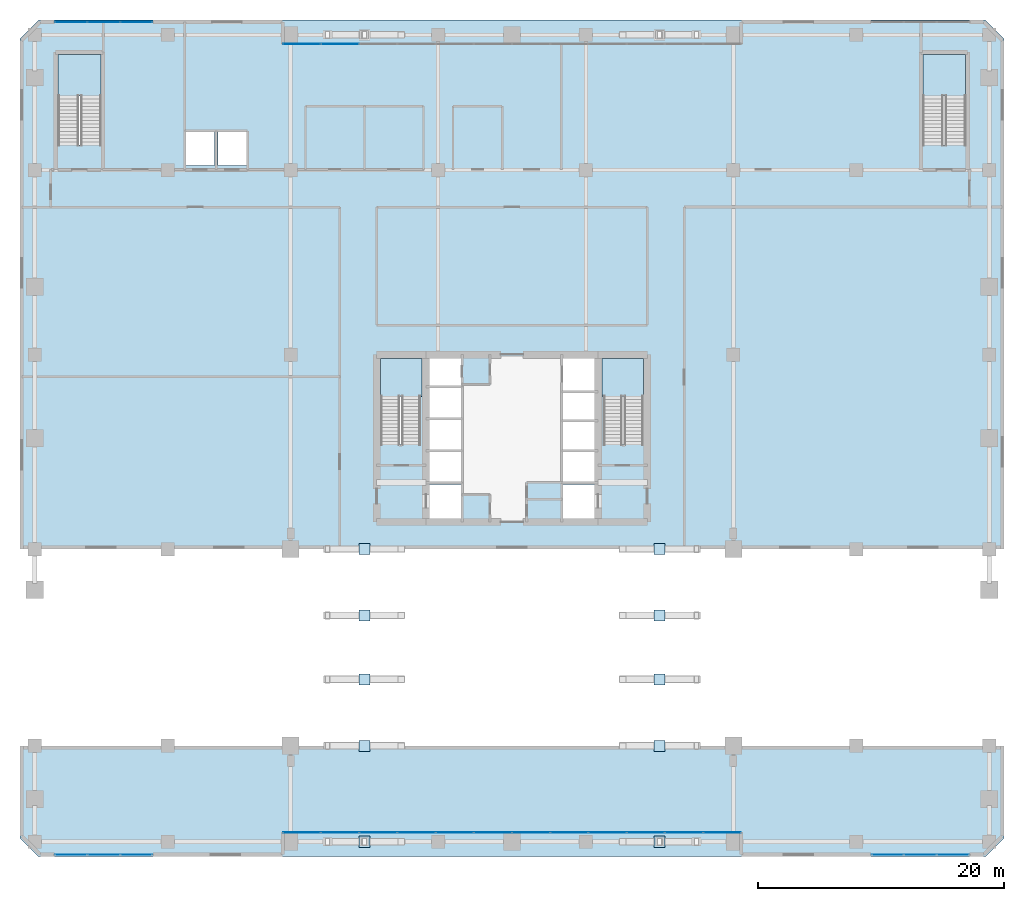
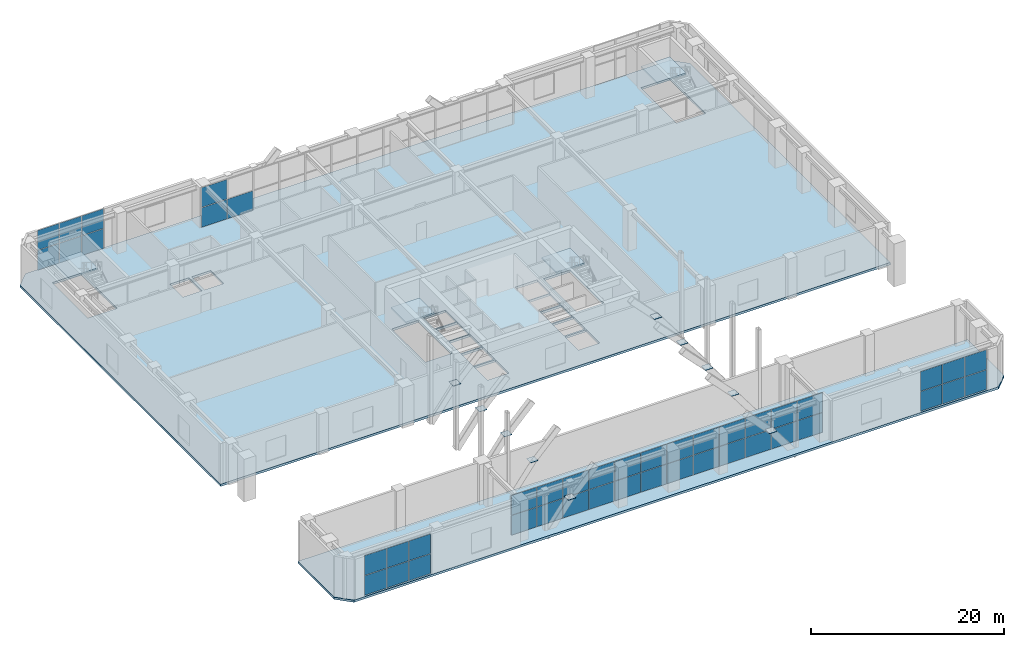
# One storey, part 19 of 28: 55 plates, 6 slabs, 9 elements without a shape of their own.
"""IFC4 building model written with IfcOpenShell, lengths in metres."""

from ifc_helpers import new_model, si_unit, direction, frame, origin, origin_2d, place, context, subcontext, project, spatial, polyline, rectangle, outline, extrude, material, layer, layer_set, type_object, element, aggregate, save


model = new_model("IFC4")

# Units and contexts
model_context = context("Model", 3, precision=1e-05, world=origin(), true_north=direction((0.0, 1.0)))
body_context = subcontext(model_context, "Body", "Model", "MODEL_VIEW")
ifc_project = project(units=[si_unit("LENGTHUNIT", "METRE"), si_unit("AREAUNIT", "SQUARE_METRE"), si_unit("VOLUMEUNIT", "CUBIC_METRE"), si_unit("PLANEANGLEUNIT", "RADIAN"), si_unit("MASSUNIT", "GRAM", prefix="KILO")], contexts=[model_context])

# Site, building, storey
site_placement = place(None, origin())
site = spatial("IfcSite", under=ifc_project, at=site_placement, CompositionType="ELEMENT")
building_placement = place(site_placement, origin())
building = spatial("IfcBuilding", under=site, at=building_placement, Name="Sarneth Arch Tower", CompositionType="ELEMENT")
storey_placement = place(building_placement, frame((0.0, 0.0, 6.0)))
storey = spatial("IfcBuildingStorey", under=building, at=storey_placement, Name="L01", CompositionType="ELEMENT", Elevation=6.0)

# Curtain wall, plates
ifc_material_1 = material(Name="Anodised aluminium Type AA25 and solar-control low-e laminated IGU", Category="aluminium")
ifc_layer_1 = layer(ifc_material_1, 0.199951171875)
ifc_layer_set_1 = layer_set([ifc_layer_1], Name="Anodised aluminium Type AA25 and solar-control low-e laminated IGU")
curtain_wall_type_1 = type_object("IfcCurtainWallType", Name="CW-ARCH-GLAZE", PredefinedType="NOTDEFINED", material=ifc_layer_set_1)
curtain_wall_1_placement = place(storey_placement, origin())
curtain_wall_1 = element("IfcCurtainWall", 1, at=curtain_wall_1_placement, inside=storey, type_object=curtain_wall_type_1, Name="L01 North parabolic arch portal curtain wall", PredefinedType="NOTDEFINED")
ifc_material_2 = material(Name="Solar-control low-e laminated IGU", Category="glass")
ifc_layer_2 = layer(ifc_material_2, 0.028076171875)
ifc_layer_set_2 = layer_set([ifc_layer_2], Name="Solar-control low-e laminated IGU")
plate_type_1 = type_object("IfcPlateType", Name="CW-PANEL", PredefinedType="CURTAIN_PANEL", material=ifc_layer_set_2)
plate_1_placement = place(storey_placement, frame((34.012451171875, 74.050048828125, 0.06005859375), z_axis=(0.0, 0.0, 1.0), x_axis=(-1.0, 0.0, 0.0)))
plate_1 = element("IfcPlate", 2, at=plate_1_placement, type_object=plate_type_1, Name="Curtain wall glazed vision pane CW-L01-N-ARCH/P10-00", PredefinedType="CURTAIN_PANEL", context=body_context, shape_type="SweptSolid", body=[
    extrude(rectangle(XDim=3.04833984375, YDim=0.028076171875, at=origin_2d()), origin(), (0.0, 0.0, 1.0), 2.469970703125),
])
plate_2_placement = place(storey_placement, frame((30.919189453125, 74.050048828125, 0.06005859375), z_axis=(0.0, 0.0, 1.0), x_axis=(-1.0, 0.0, 0.0)))
plate_2 = element("IfcPlate", 3, at=plate_2_placement, type_object=plate_type_1, Name="Curtain wall glazed vision pane CW-L01-N-ARCH/P11-00", PredefinedType="CURTAIN_PANEL", context=body_context, shape_type="SweptSolid", body=[
    extrude(rectangle(XDim=3.018310546875, YDim=0.028076171875, at=origin_2d()), origin(), (0.0, 0.0, 1.0), 2.469970703125),
])
plate_3_placement = place(storey_placement, frame((30.919189453125, 74.050048828125, 2.58984375), z_axis=(0.0, 0.0, 1.0), x_axis=(-1.0, 0.0, 0.0)))
plate_3 = element("IfcPlate", 4, at=plate_3_placement, type_object=plate_type_1, Name="Curtain wall glazed vision pane CW-L01-N-ARCH/P11-01", PredefinedType="CURTAIN_PANEL", context=body_context, shape_type="SweptSolid", body=[
    extrude(rectangle(XDim=3.018310546875, YDim=0.028076171875, at=origin_2d()), origin(), (0.0, 0.0, 1.0), 2.469970703125),
])
aggregate(curtain_wall_1, [plate_1, plate_2, plate_3])

curtain_wall_2_placement = place(storey_placement, origin())
curtain_wall_2 = element("IfcCurtainWall", 5, at=curtain_wall_2_placement, inside=storey, type_object=curtain_wall_type_1, Name="L01 South parabolic arch portal curtain wall", PredefinedType="NOTDEFINED")
plate_4_placement = place(storey_placement, frame((30.919189453125, 9.949951171875, 0.06005859375), z_axis=(0.0, 0.0, 1.0), x_axis=(1.0, 0.0, 0.0)))
plate_4 = element("IfcPlate", 6, at=plate_4_placement, type_object=plate_type_1, Name="Curtain wall glazed vision pane CW-L01-S-ARCH/P00-00", PredefinedType="CURTAIN_PANEL", context=body_context, shape_type="SweptSolid", body=[
    extrude(rectangle(XDim=3.018310546875, YDim=0.028076171875, at=origin_2d()), origin(), (0.0, 0.0, 1.0), 2.469970703125),
])
plate_5_placement = place(storey_placement, frame((30.919189453125, 9.949951171875, 2.58984375), z_axis=(0.0, 0.0, 1.0), x_axis=(1.0, 0.0, 0.0)))
plate_5 = element("IfcPlate", 7, at=plate_5_placement, type_object=plate_type_1, Name="Curtain wall glazed vision pane CW-L01-S-ARCH/P00-01", PredefinedType="CURTAIN_PANEL", context=body_context, shape_type="SweptSolid", body=[
    extrude(rectangle(XDim=3.018310546875, YDim=0.028076171875, at=origin_2d()), origin(), (0.0, 0.0, 1.0), 2.469970703125),
])
plate_6_placement = place(storey_placement, frame((34.012451171875, 9.949951171875, 0.06005859375), z_axis=(0.0, 0.0, 1.0), x_axis=(1.0, 0.0, 0.0)))
plate_6 = element("IfcPlate", 8, at=plate_6_placement, type_object=plate_type_1, Name="Curtain wall glazed vision pane CW-L01-S-ARCH/P01-00", PredefinedType="CURTAIN_PANEL", context=body_context, shape_type="SweptSolid", body=[
    extrude(rectangle(XDim=3.04833984375, YDim=0.028076171875, at=origin_2d()), origin(), (0.0, 0.0, 1.0), 2.469970703125),
])
plate_7_placement = place(storey_placement, frame((34.012451171875, 9.949951171875, 2.58984375), z_axis=(0.0, 0.0, 1.0), x_axis=(1.0, 0.0, 0.0)))
plate_7 = element("IfcPlate", 9, at=plate_7_placement, type_object=plate_type_1, Name="Curtain wall glazed vision pane CW-L01-S-ARCH/P01-01", PredefinedType="CURTAIN_PANEL", context=body_context, shape_type="SweptSolid", body=[
    extrude(rectangle(XDim=3.04833984375, YDim=0.028076171875, at=origin_2d()), origin(), (0.0, 0.0, 1.0), 2.469970703125),
])
plate_8_placement = place(storey_placement, frame((37.120849609375, 9.949951171875, 0.06005859375), z_axis=(0.0, 0.0, 1.0), x_axis=(1.0, 0.0, 0.0)))
plate_8 = element("IfcPlate", 10, at=plate_8_placement, type_object=plate_type_1, Name="Curtain wall glazed vision pane CW-L01-S-ARCH/P02-00", PredefinedType="CURTAIN_PANEL", context=body_context, shape_type="SweptSolid", body=[
    extrude(rectangle(XDim=3.04833984375, YDim=0.028076171875, at=origin_2d()), origin(), (0.0, 0.0, 1.0), 2.469970703125),
])
plate_9_placement = place(storey_placement, frame((37.120849609375, 9.949951171875, 2.58984375), z_axis=(0.0, 0.0, 1.0), x_axis=(1.0, 0.0, 0.0)))
plate_9 = element("IfcPlate", 11, at=plate_9_placement, type_object=plate_type_1, Name="Curtain wall glazed vision pane CW-L01-S-ARCH/P02-01", PredefinedType="CURTAIN_PANEL", context=body_context, shape_type="SweptSolid", body=[
    extrude(rectangle(XDim=3.04833984375, YDim=0.028076171875, at=origin_2d()), origin(), (0.0, 0.0, 1.0), 2.469970703125),
])
plate_10_placement = place(storey_placement, frame((40.229248046875, 9.949951171875, 0.06005859375), z_axis=(0.0, 0.0, 1.0), x_axis=(1.0, 0.0, 0.0)))
plate_10 = element("IfcPlate", 12, at=plate_10_placement, type_object=plate_type_1, Name="Curtain wall glazed vision pane CW-L01-S-ARCH/P03-00", PredefinedType="CURTAIN_PANEL", context=body_context, shape_type="SweptSolid", body=[
    extrude(rectangle(XDim=3.04833984375, YDim=0.028076171875, at=origin_2d()), origin(), (0.0, 0.0, 1.0), 2.469970703125),
])
plate_11_placement = place(storey_placement, frame((40.229248046875, 9.949951171875, 2.58984375), z_axis=(0.0, 0.0, 1.0), x_axis=(1.0, 0.0, 0.0)))
plate_11 = element("IfcPlate", 13, at=plate_11_placement, type_object=plate_type_1, Name="Curtain wall glazed vision pane CW-L01-S-ARCH/P03-01", PredefinedType="CURTAIN_PANEL", context=body_context, shape_type="SweptSolid", body=[
    extrude(rectangle(XDim=3.04833984375, YDim=0.028076171875, at=origin_2d()), origin(), (0.0, 0.0, 1.0), 2.469970703125),
])
plate_12_placement = place(storey_placement, frame((43.33740234375, 9.949951171875, 0.06005859375), z_axis=(0.0, 0.0, 1.0), x_axis=(1.0, 0.0, 0.0)))
plate_12 = element("IfcPlate", 14, at=plate_12_placement, type_object=plate_type_1, Name="Curtain wall glazed vision pane CW-L01-S-ARCH/P04-00", PredefinedType="CURTAIN_PANEL", context=body_context, shape_type="SweptSolid", body=[
    extrude(rectangle(XDim=3.04833984375, YDim=0.028076171875, at=origin_2d()), origin(), (0.0, 0.0, 1.0), 2.469970703125),
])
plate_13_placement = place(storey_placement, frame((43.33740234375, 9.949951171875, 2.58984375), z_axis=(0.0, 0.0, 1.0), x_axis=(1.0, 0.0, 0.0)))
plate_13 = element("IfcPlate", 15, at=plate_13_placement, type_object=plate_type_1, Name="Curtain wall glazed vision pane CW-L01-S-ARCH/P04-01", PredefinedType="CURTAIN_PANEL", context=body_context, shape_type="SweptSolid", body=[
    extrude(rectangle(XDim=3.04833984375, YDim=0.028076171875, at=origin_2d()), origin(), (0.0, 0.0, 1.0), 2.469970703125),
])
plate_14_placement = place(storey_placement, frame((46.44580078125, 9.949951171875, 0.06005859375), z_axis=(0.0, 0.0, 1.0), x_axis=(1.0, 0.0, 0.0)))
plate_14 = element("IfcPlate", 16, at=plate_14_placement, type_object=plate_type_1, Name="Curtain wall glazed vision pane CW-L01-S-ARCH/P05-00", PredefinedType="CURTAIN_PANEL", context=body_context, shape_type="SweptSolid", body=[
    extrude(rectangle(XDim=3.04833984375, YDim=0.028076171875, at=origin_2d()), origin(), (0.0, 0.0, 1.0), 2.469970703125),
])
plate_15_placement = place(storey_placement, frame((46.44580078125, 9.949951171875, 2.58984375), z_axis=(0.0, 0.0, 1.0), x_axis=(1.0, 0.0, 0.0)))
plate_15 = element("IfcPlate", 17, at=plate_15_placement, type_object=plate_type_1, Name="Curtain wall glazed vision pane CW-L01-S-ARCH/P05-01", PredefinedType="CURTAIN_PANEL", context=body_context, shape_type="SweptSolid", body=[
    extrude(rectangle(XDim=3.04833984375, YDim=0.028076171875, at=origin_2d()), origin(), (0.0, 0.0, 1.0), 2.469970703125),
])
plate_16_placement = place(storey_placement, frame((49.55419921875, 9.949951171875, 0.06005859375), z_axis=(0.0, 0.0, 1.0), x_axis=(1.0, 0.0, 0.0)))
plate_16 = element("IfcPlate", 18, at=plate_16_placement, type_object=plate_type_1, Name="Curtain wall glazed vision pane CW-L01-S-ARCH/P06-00", PredefinedType="CURTAIN_PANEL", context=body_context, shape_type="SweptSolid", body=[
    extrude(rectangle(XDim=3.04833984375, YDim=0.028076171875, at=origin_2d()), origin(), (0.0, 0.0, 1.0), 2.469970703125),
])
plate_17_placement = place(storey_placement, frame((49.55419921875, 9.949951171875, 2.58984375), z_axis=(0.0, 0.0, 1.0), x_axis=(1.0, 0.0, 0.0)))
plate_17 = element("IfcPlate", 19, at=plate_17_placement, type_object=plate_type_1, Name="Curtain wall glazed vision pane CW-L01-S-ARCH/P06-01", PredefinedType="CURTAIN_PANEL", context=body_context, shape_type="SweptSolid", body=[
    extrude(rectangle(XDim=3.04833984375, YDim=0.028076171875, at=origin_2d()), origin(), (0.0, 0.0, 1.0), 2.469970703125),
])
plate_18_placement = place(storey_placement, frame((52.66259765625, 9.949951171875, 0.06005859375), z_axis=(0.0, 0.0, 1.0), x_axis=(1.0, 0.0, 0.0)))
plate_18 = element("IfcPlate", 20, at=plate_18_placement, type_object=plate_type_1, Name="Curtain wall glazed vision pane CW-L01-S-ARCH/P07-00", PredefinedType="CURTAIN_PANEL", context=body_context, shape_type="SweptSolid", body=[
    extrude(rectangle(XDim=3.04833984375, YDim=0.028076171875, at=origin_2d()), origin(), (0.0, 0.0, 1.0), 2.469970703125),
])
plate_19_placement = place(storey_placement, frame((52.66259765625, 9.949951171875, 2.58984375), z_axis=(0.0, 0.0, 1.0), x_axis=(1.0, 0.0, 0.0)))
plate_19 = element("IfcPlate", 21, at=plate_19_placement, type_object=plate_type_1, Name="Curtain wall glazed vision pane CW-L01-S-ARCH/P07-01", PredefinedType="CURTAIN_PANEL", context=body_context, shape_type="SweptSolid", body=[
    extrude(rectangle(XDim=3.04833984375, YDim=0.028076171875, at=origin_2d()), origin(), (0.0, 0.0, 1.0), 2.469970703125),
])
plate_20_placement = place(storey_placement, frame((55.770751953125, 9.949951171875, 0.06005859375), z_axis=(0.0, 0.0, 1.0), x_axis=(1.0, 0.0, 0.0)))
plate_20 = element("IfcPlate", 22, at=plate_20_placement, type_object=plate_type_1, Name="Curtain wall glazed vision pane CW-L01-S-ARCH/P08-00", PredefinedType="CURTAIN_PANEL", context=body_context, shape_type="SweptSolid", body=[
    extrude(rectangle(XDim=3.04833984375, YDim=0.028076171875, at=origin_2d()), origin(), (0.0, 0.0, 1.0), 2.469970703125),
])
plate_21_placement = place(storey_placement, frame((55.770751953125, 9.949951171875, 2.58984375), z_axis=(0.0, 0.0, 1.0), x_axis=(1.0, 0.0, 0.0)))
plate_21 = element("IfcPlate", 23, at=plate_21_placement, type_object=plate_type_1, Name="Curtain wall glazed vision pane CW-L01-S-ARCH/P08-01", PredefinedType="CURTAIN_PANEL", context=body_context, shape_type="SweptSolid", body=[
    extrude(rectangle(XDim=3.04833984375, YDim=0.028076171875, at=origin_2d()), origin(), (0.0, 0.0, 1.0), 2.469970703125),
])
plate_22_placement = place(storey_placement, frame((58.879150390625, 9.949951171875, 0.06005859375), z_axis=(0.0, 0.0, 1.0), x_axis=(1.0, 0.0, 0.0)))
plate_22 = element("IfcPlate", 24, at=plate_22_placement, type_object=plate_type_1, Name="Curtain wall glazed vision pane CW-L01-S-ARCH/P09-00", PredefinedType="CURTAIN_PANEL", context=body_context, shape_type="SweptSolid", body=[
    extrude(rectangle(XDim=3.04833984375, YDim=0.028076171875, at=origin_2d()), origin(), (0.0, 0.0, 1.0), 2.469970703125),
])
plate_23_placement = place(storey_placement, frame((58.879150390625, 9.949951171875, 2.58984375), z_axis=(0.0, 0.0, 1.0), x_axis=(1.0, 0.0, 0.0)))
plate_23 = element("IfcPlate", 25, at=plate_23_placement, type_object=plate_type_1, Name="Curtain wall glazed vision pane CW-L01-S-ARCH/P09-01", PredefinedType="CURTAIN_PANEL", context=body_context, shape_type="SweptSolid", body=[
    extrude(rectangle(XDim=3.04833984375, YDim=0.028076171875, at=origin_2d()), origin(), (0.0, 0.0, 1.0), 2.469970703125),
])
plate_24_placement = place(storey_placement, frame((61.987548828125, 9.949951171875, 0.06005859375), z_axis=(0.0, 0.0, 1.0), x_axis=(1.0, 0.0, 0.0)))
plate_24 = element("IfcPlate", 26, at=plate_24_placement, type_object=plate_type_1, Name="Curtain wall glazed vision pane CW-L01-S-ARCH/P10-00", PredefinedType="CURTAIN_PANEL", context=body_context, shape_type="SweptSolid", body=[
    extrude(rectangle(XDim=3.04833984375, YDim=0.028076171875, at=origin_2d()), origin(), (0.0, 0.0, 1.0), 2.469970703125),
])
plate_25_placement = place(storey_placement, frame((61.987548828125, 9.949951171875, 2.58984375), z_axis=(0.0, 0.0, 1.0), x_axis=(1.0, 0.0, 0.0)))
plate_25 = element("IfcPlate", 27, at=plate_25_placement, type_object=plate_type_1, Name="Curtain wall glazed vision pane CW-L01-S-ARCH/P10-01", PredefinedType="CURTAIN_PANEL", context=body_context, shape_type="SweptSolid", body=[
    extrude(rectangle(XDim=3.04833984375, YDim=0.028076171875, at=origin_2d()), origin(), (0.0, 0.0, 1.0), 2.469970703125),
])
plate_26_placement = place(storey_placement, frame((65.080810546875, 9.949951171875, 0.06005859375), z_axis=(0.0, 0.0, 1.0), x_axis=(1.0, 0.0, 0.0)))
plate_26 = element("IfcPlate", 28, at=plate_26_placement, type_object=plate_type_1, Name="Curtain wall glazed vision pane CW-L01-S-ARCH/P11-00", PredefinedType="CURTAIN_PANEL", context=body_context, shape_type="SweptSolid", body=[
    extrude(rectangle(XDim=3.018310546875, YDim=0.028076171875, at=origin_2d()), origin(), (0.0, 0.0, 1.0), 2.469970703125),
])
plate_27_placement = place(storey_placement, frame((65.080810546875, 9.949951171875, 2.58984375), z_axis=(0.0, 0.0, 1.0), x_axis=(1.0, 0.0, 0.0)))
plate_27 = element("IfcPlate", 29, at=plate_27_placement, type_object=plate_type_1, Name="Curtain wall glazed vision pane CW-L01-S-ARCH/P11-01", PredefinedType="CURTAIN_PANEL", context=body_context, shape_type="SweptSolid", body=[
    extrude(rectangle(XDim=3.018310546875, YDim=0.028076171875, at=origin_2d()), origin(), (0.0, 0.0, 1.0), 2.469970703125),
])
aggregate(curtain_wall_2, [plate_4, plate_5, plate_6, plate_7, plate_8, plate_9, plate_10, plate_11, plate_12, plate_13, plate_14, plate_15, plate_16, plate_17, plate_18, plate_19, plate_20, plate_21, plate_22, plate_23, plate_24, plate_25, plate_26, plate_27])

ifc_material_3 = material(Name="Anodised aluminium Type AA25 and solar-control low-e laminated IGU", Category="aluminium")
ifc_layer_3 = layer(ifc_material_3, 0.179931640625)
ifc_layer_set_3 = layer_set([ifc_layer_3], Name="Anodised aluminium Type AA25 and solar-control low-e laminated IGU")
curtain_wall_type_2 = type_object("IfcCurtainWallType", Name="CW-PODIUM-CHAMF", PredefinedType="NOTDEFINED", material=ifc_layer_set_3)
curtain_wall_3_placement = place(storey_placement, origin())
curtain_wall_3 = element("IfcCurtainWall", 30, at=curtain_wall_3_placement, inside=storey, type_object=curtain_wall_type_2, Name="L01 Podium bay curtain wall NW", PredefinedType="NOTDEFINED")
plate_28_placement = place(storey_placement, frame((17.45166015625, 75.85009765625, 0.06005859375), z_axis=(0.0, 0.0, 1.0), x_axis=(-1.0, 0.0, 0.0)))
plate_28 = element("IfcPlate", 31, at=plate_28_placement, type_object=plate_type_1, Name="Curtain wall glazed vision pane CW-L01-CORNER-NW/P00-00", PredefinedType="CURTAIN_PANEL", context=body_context, shape_type="SweptSolid", body=[
    extrude(rectangle(XDim=2.57666015625, YDim=0.028076171875, at=origin_2d()), origin(), (0.0, 0.0, 1.0), 2.469970703125),
])
plate_29_placement = place(storey_placement, frame((17.45166015625, 75.85009765625, 2.58984375), z_axis=(0.0, 0.0, 1.0), x_axis=(-1.0, 0.0, 0.0)))
plate_29 = element("IfcPlate", 32, at=plate_29_placement, type_object=plate_type_1, Name="Curtain wall glazed vision pane CW-L01-CORNER-NW/P00-01", PredefinedType="CURTAIN_PANEL", context=body_context, shape_type="SweptSolid", body=[
    extrude(rectangle(XDim=2.57666015625, YDim=0.028076171875, at=origin_2d()), origin(), (0.0, 0.0, 1.0), 2.469970703125),
])
plate_30_placement = place(storey_placement, frame((14.800048828125, 75.85009765625, 0.06005859375), z_axis=(0.0, 0.0, 1.0), x_axis=(-1.0, 0.0, 0.0)))
plate_30 = element("IfcPlate", 33, at=plate_30_placement, type_object=plate_type_1, Name="Curtain wall glazed vision pane CW-L01-CORNER-NW/P01-00", PredefinedType="CURTAIN_PANEL", context=body_context, shape_type="SweptSolid", body=[
    extrude(rectangle(XDim=2.606689453125, YDim=0.028076171875, at=origin_2d()), origin(), (0.0, 0.0, 1.0), 2.469970703125),
])
plate_31_placement = place(storey_placement, frame((14.800048828125, 75.85009765625, 2.58984375), z_axis=(0.0, 0.0, 1.0), x_axis=(-1.0, 0.0, 0.0)))
plate_31 = element("IfcPlate", 34, at=plate_31_placement, type_object=plate_type_1, Name="Curtain wall glazed vision pane CW-L01-CORNER-NW/P01-01", PredefinedType="CURTAIN_PANEL", context=body_context, shape_type="SweptSolid", body=[
    extrude(rectangle(XDim=2.606689453125, YDim=0.028076171875, at=origin_2d()), origin(), (0.0, 0.0, 1.0), 2.469970703125),
])
plate_32_placement = place(storey_placement, frame((12.1484375, 75.85009765625, 0.06005859375), z_axis=(0.0, 0.0, 1.0), x_axis=(-1.0, 0.0, 0.0)))
plate_32 = element("IfcPlate", 35, at=plate_32_placement, type_object=plate_type_1, Name="Curtain wall glazed vision pane CW-L01-CORNER-NW/P02-00", PredefinedType="CURTAIN_PANEL", context=body_context, shape_type="SweptSolid", body=[
    extrude(rectangle(XDim=2.57666015625, YDim=0.028076171875, at=origin_2d()), origin(), (0.0, 0.0, 1.0), 2.469970703125),
])
plate_33_placement = place(storey_placement, frame((12.1484375, 75.85009765625, 2.58984375), z_axis=(0.0, 0.0, 1.0), x_axis=(-1.0, 0.0, 0.0)))
plate_33 = element("IfcPlate", 36, at=plate_33_placement, type_object=plate_type_1, Name="Curtain wall glazed vision pane CW-L01-CORNER-NW/P02-01", PredefinedType="CURTAIN_PANEL", context=body_context, shape_type="SweptSolid", body=[
    extrude(rectangle(XDim=2.57666015625, YDim=0.028076171875, at=origin_2d()), origin(), (0.0, 0.0, 1.0), 2.469970703125),
])
aggregate(curtain_wall_3, [plate_28, plate_29, plate_30, plate_31, plate_32, plate_33])

curtain_wall_4_placement = place(storey_placement, origin())
curtain_wall_4 = element("IfcCurtainWall", 37, at=curtain_wall_4_placement, inside=storey, type_object=curtain_wall_type_2, Name="L01 Podium bay curtain wall SW", PredefinedType="NOTDEFINED")
plate_34_placement = place(storey_placement, frame((12.1484375, 8.14990234375, 0.06005859375), z_axis=(0.0, 0.0, 1.0), x_axis=(1.0, 0.0, 0.0)))
plate_34 = element("IfcPlate", 38, at=plate_34_placement, type_object=plate_type_1, Name="Curtain wall glazed vision pane CW-L01-CORNER-SW/P00-00", PredefinedType="CURTAIN_PANEL", context=body_context, shape_type="SweptSolid", body=[
    extrude(rectangle(XDim=2.57666015625, YDim=0.028076171875, at=origin_2d()), origin(), (0.0, 0.0, 1.0), 2.469970703125),
])
plate_35_placement = place(storey_placement, frame((12.1484375, 8.14990234375, 2.58984375), z_axis=(0.0, 0.0, 1.0), x_axis=(1.0, 0.0, 0.0)))
plate_35 = element("IfcPlate", 39, at=plate_35_placement, type_object=plate_type_1, Name="Curtain wall glazed vision pane CW-L01-CORNER-SW/P00-01", PredefinedType="CURTAIN_PANEL", context=body_context, shape_type="SweptSolid", body=[
    extrude(rectangle(XDim=2.57666015625, YDim=0.028076171875, at=origin_2d()), origin(), (0.0, 0.0, 1.0), 2.469970703125),
])
plate_36_placement = place(storey_placement, frame((14.800048828125, 8.14990234375, 0.06005859375), z_axis=(0.0, 0.0, 1.0), x_axis=(1.0, 0.0, 0.0)))
plate_36 = element("IfcPlate", 40, at=plate_36_placement, type_object=plate_type_1, Name="Curtain wall glazed vision pane CW-L01-CORNER-SW/P01-00", PredefinedType="CURTAIN_PANEL", context=body_context, shape_type="SweptSolid", body=[
    extrude(rectangle(XDim=2.606689453125, YDim=0.028076171875, at=origin_2d()), origin(), (0.0, 0.0, 1.0), 2.469970703125),
])
plate_37_placement = place(storey_placement, frame((14.800048828125, 8.14990234375, 2.58984375), z_axis=(0.0, 0.0, 1.0), x_axis=(1.0, 0.0, 0.0)))
plate_37 = element("IfcPlate", 41, at=plate_37_placement, type_object=plate_type_1, Name="Curtain wall glazed vision pane CW-L01-CORNER-SW/P01-01", PredefinedType="CURTAIN_PANEL", context=body_context, shape_type="SweptSolid", body=[
    extrude(rectangle(XDim=2.606689453125, YDim=0.028076171875, at=origin_2d()), origin(), (0.0, 0.0, 1.0), 2.469970703125),
])
plate_38_placement = place(storey_placement, frame((17.45166015625, 8.14990234375, 0.06005859375), z_axis=(0.0, 0.0, 1.0), x_axis=(1.0, 0.0, 0.0)))
plate_38 = element("IfcPlate", 42, at=plate_38_placement, type_object=plate_type_1, Name="Curtain wall glazed vision pane CW-L01-CORNER-SW/P02-00", PredefinedType="CURTAIN_PANEL", context=body_context, shape_type="SweptSolid", body=[
    extrude(rectangle(XDim=2.57666015625, YDim=0.028076171875, at=origin_2d()), origin(), (0.0, 0.0, 1.0), 2.469970703125),
])
plate_39_placement = place(storey_placement, frame((17.45166015625, 8.14990234375, 2.58984375), z_axis=(0.0, 0.0, 1.0), x_axis=(1.0, 0.0, 0.0)))
plate_39 = element("IfcPlate", 43, at=plate_39_placement, type_object=plate_type_1, Name="Curtain wall glazed vision pane CW-L01-CORNER-SW/P02-01", PredefinedType="CURTAIN_PANEL", context=body_context, shape_type="SweptSolid", body=[
    extrude(rectangle(XDim=2.57666015625, YDim=0.028076171875, at=origin_2d()), origin(), (0.0, 0.0, 1.0), 2.469970703125),
])
aggregate(curtain_wall_4, [plate_34, plate_35, plate_36, plate_37, plate_38, plate_39])

curtain_wall_5_placement = place(storey_placement, origin())
curtain_wall_5 = element("IfcCurtainWall", 44, at=curtain_wall_5_placement, inside=storey, type_object=curtain_wall_type_2, Name="L01 Podium bay curtain wall SE", PredefinedType="NOTDEFINED")
plate_40_placement = place(storey_placement, frame((78.54833984375, 8.14990234375, 0.06005859375), z_axis=(0.0, 0.0, 1.0), x_axis=(1.0, 0.0, 0.0)))
plate_40 = element("IfcPlate", 45, at=plate_40_placement, type_object=plate_type_1, Name="Curtain wall glazed vision pane CW-L01-CORNER-SE/P00-00", PredefinedType="CURTAIN_PANEL", context=body_context, shape_type="SweptSolid", body=[
    extrude(rectangle(XDim=2.57666015625, YDim=0.028076171875, at=origin_2d()), origin(), (0.0, 0.0, 1.0), 2.469970703125),
])
plate_41_placement = place(storey_placement, frame((78.54833984375, 8.14990234375, 2.58984375), z_axis=(0.0, 0.0, 1.0), x_axis=(1.0, 0.0, 0.0)))
plate_41 = element("IfcPlate", 46, at=plate_41_placement, type_object=plate_type_1, Name="Curtain wall glazed vision pane CW-L01-CORNER-SE/P00-01", PredefinedType="CURTAIN_PANEL", context=body_context, shape_type="SweptSolid", body=[
    extrude(rectangle(XDim=2.57666015625, YDim=0.028076171875, at=origin_2d()), origin(), (0.0, 0.0, 1.0), 2.469970703125),
])
plate_42_placement = place(storey_placement, frame((81.199951171875, 8.14990234375, 0.06005859375), z_axis=(0.0, 0.0, 1.0), x_axis=(1.0, 0.0, 0.0)))
plate_42 = element("IfcPlate", 47, at=plate_42_placement, type_object=plate_type_1, Name="Curtain wall glazed vision pane CW-L01-CORNER-SE/P01-00", PredefinedType="CURTAIN_PANEL", context=body_context, shape_type="SweptSolid", body=[
    extrude(rectangle(XDim=2.606689453125, YDim=0.028076171875, at=origin_2d()), origin(), (0.0, 0.0, 1.0), 2.469970703125),
])
plate_43_placement = place(storey_placement, frame((81.199951171875, 8.14990234375, 2.58984375), z_axis=(0.0, 0.0, 1.0), x_axis=(1.0, 0.0, 0.0)))
plate_43 = element("IfcPlate", 48, at=plate_43_placement, type_object=plate_type_1, Name="Curtain wall glazed vision pane CW-L01-CORNER-SE/P01-01", PredefinedType="CURTAIN_PANEL", context=body_context, shape_type="SweptSolid", body=[
    extrude(rectangle(XDim=2.606689453125, YDim=0.028076171875, at=origin_2d()), origin(), (0.0, 0.0, 1.0), 2.469970703125),
])
plate_44_placement = place(storey_placement, frame((83.8515625, 8.14990234375, 0.06005859375), z_axis=(0.0, 0.0, 1.0), x_axis=(1.0, 0.0, 0.0)))
plate_44 = element("IfcPlate", 49, at=plate_44_placement, type_object=plate_type_1, Name="Curtain wall glazed vision pane CW-L01-CORNER-SE/P02-00", PredefinedType="CURTAIN_PANEL", context=body_context, shape_type="SweptSolid", body=[
    extrude(rectangle(XDim=2.57666015625, YDim=0.028076171875, at=origin_2d()), origin(), (0.0, 0.0, 1.0), 2.469970703125),
])
plate_45_placement = place(storey_placement, frame((83.8515625, 8.14990234375, 2.58984375), z_axis=(0.0, 0.0, 1.0), x_axis=(1.0, 0.0, 0.0)))
plate_45 = element("IfcPlate", 50, at=plate_45_placement, type_object=plate_type_1, Name="Curtain wall glazed vision pane CW-L01-CORNER-SE/P02-01", PredefinedType="CURTAIN_PANEL", context=body_context, shape_type="SweptSolid", body=[
    extrude(rectangle(XDim=2.57666015625, YDim=0.028076171875, at=origin_2d()), origin(), (0.0, 0.0, 1.0), 2.469970703125),
])
aggregate(curtain_wall_5, [plate_40, plate_41, plate_42, plate_43, plate_44, plate_45])

# Plates
ifc_material_4 = material(Name="Steel S355", Category="steel")
ifc_layer_4 = layer(ifc_material_4, 0.035888671875)
ifc_layer_set_4 = layer_set([ifc_layer_4], Name="Steel S355")
plate_type_2 = type_object("IfcPlateType", Name="PLT-GUSSET-30", PredefinedType="SHEET", material=ifc_layer_set_4)
for number, where, z_axis, x_axis, name in (
    (51, (36.0, 9.199951171875, 3.0068359375), (0.0, 0.0, 1.0), (-1.0, 0.0, 0.0), "Steel end cap plate GP-1"),
    (52, (60.0, 9.199951171875, 3.0068359375), (0.0, 0.0, 1.0), (-1.0, 0.0, 0.0), "Steel end cap plate GP-1"),
    (53, (36.0, 17.0, 3.0068359375), (0.0, 0.0, 1.0), (-1.0, 0.0, 0.0), "Steel end cap plate GP-1"),
    (54, (60.0, 17.0, 3.0068359375), (0.0, 0.0, 1.0), (-1.0, 0.0, 0.0), "Steel end cap plate GP-1"),
    (55, (36.0, 22.39990234375, 3.0068359375), (0.0, 0.0, 1.0), (-1.0, 0.0, 0.0), "Steel end cap plate GP-1"),
    (56, (60.0, 22.39990234375, 3.0068359375), (0.0, 0.0, 1.0), (-1.0, 0.0, 0.0), "Steel end cap plate GP-1"),
    (57, (36.0, 27.60009765625, 3.0068359375), (0.0, 0.0, 1.0), (-1.0, 0.0, 0.0), "Steel end cap plate GP-1"),
    (58, (60.0, 27.60009765625, 3.0068359375), (0.0, 0.0, 1.0), (-1.0, 0.0, 0.0), "Steel end cap plate GP-1"),
    (59, (36.0, 33.0, 3.0068359375), (0.0, 0.0, 1.0), (-1.0, 0.0, 0.0), "Steel end cap plate GP-1"),
    (60, (60.0, 33.0, 3.0068359375), (0.0, 0.0, 1.0), (-1.0, 0.0, 0.0), "Steel end cap plate GP-1"),
):
    element("IfcPlate", number, at=place(storey_placement, frame(where, z_axis=z_axis, x_axis=x_axis)), inside=storey, type_object=plate_type_2, Name=name, PredefinedType="SHEET", context=body_context, shape_type="SweptSolid", body=[
        extrude(rectangle(XDim=0.89990234375, YDim=0.89990234375, at=origin_2d()), origin(), (0.0, 0.0, 1.0), 0.035888671875),
    ])

# Stair, slab
ifc_material_5 = material(Name="Concrete C50/60", Category="concrete")
stair_type_1 = type_object("IfcStairType", Name="STAIR-CORE-RC", PredefinedType="HALF_TURN_STAIR", material=ifc_material_5)
stair_1_placement = place(storey_placement, origin())
stair_1 = element("IfcStair", 61, at=stair_1_placement, inside=storey, type_object=stair_type_1, Name="L01 Core Exit Stair 1", PredefinedType="HALF_TURN_STAIR")
ifc_material_6 = material(Name="Concrete C50/60", Category="concrete")
ifc_layer_5 = layer(ifc_material_6, 0.199951171875)
ifc_layer_set_5 = layer_set([ifc_layer_5], Name="Concrete C50/60")
slab_type_1 = type_object("IfcSlabType", Name="SLAB-LANDING-200", PredefinedType="LANDING", material=ifc_layer_set_5)
slab_1_placement = place(storey_placement, frame((0.0, 0.0, 2.5)))
slab_1 = element("IfcSlab", 62, at=slab_1_placement, type_object=slab_type_1, Name="ST-1 landing 1", PredefinedType="LANDING", context=body_context, shape_type="SweptSolid", body=[
    extrude(outline(polyline([(37.300048828125, 45.409912109375), (40.699951171875, 45.409912109375), (40.699951171875, 48.5), (37.300048828125, 48.5), (37.300048828125, 45.409912109375)])), origin(), (0.0, 0.0, 1.0), 0.199951171875),
])
aggregate(stair_1, [slab_1])

stair_2_placement = place(storey_placement, origin())
stair_2 = element("IfcStair", 63, at=stair_2_placement, inside=storey, type_object=stair_type_1, Name="L01 Core Exit Stair 2", PredefinedType="HALF_TURN_STAIR")
slab_2_placement = place(storey_placement, frame((0.0, 0.0, 2.5)))
slab_2 = element("IfcSlab", 64, at=slab_2_placement, type_object=slab_type_1, Name="ST-2 landing 1", PredefinedType="LANDING", context=body_context, shape_type="SweptSolid", body=[
    extrude(outline(polyline([(55.300048828125, 45.409912109375), (58.699951171875, 45.409912109375), (58.699951171875, 48.5), (55.300048828125, 48.5), (55.300048828125, 45.409912109375)])), origin(), (0.0, 0.0, 1.0), 0.199951171875),
])
aggregate(stair_2, [slab_2])

ifc_material_7 = material(Name="Concrete C50/60", Category="concrete")
stair_type_2 = type_object("IfcStairType", Name="STAIR-PODIUM-RC", PredefinedType="HALF_TURN_STAIR", material=ifc_material_7)
stair_3_placement = place(storey_placement, origin())
stair_3 = element("IfcStair", 65, at=stair_3_placement, inside=storey, type_object=stair_type_2, Name="L01 Podium Exit Stair P1", PredefinedType="HALF_TURN_STAIR")
slab_3_placement = place(storey_placement, frame((0.0, 0.0, 2.5)))
slab_3 = element("IfcSlab", 66, at=slab_3_placement, type_object=slab_type_1, Name="ST-P1 landing 1", PredefinedType="LANDING", context=body_context, shape_type="SweptSolid", body=[
    extrude(outline(polyline([(11.074951171875, 69.830078125), (14.574951171875, 69.830078125), (14.574951171875, 73.22509765625), (11.074951171875, 73.22509765625), (11.074951171875, 69.830078125)])), origin(), (0.0, 0.0, 1.0), 0.199951171875),
])
aggregate(stair_3, [slab_3])

stair_4_placement = place(storey_placement, origin())
stair_4 = element("IfcStair", 67, at=stair_4_placement, inside=storey, type_object=stair_type_2, Name="L01 Podium Exit Stair P2", PredefinedType="HALF_TURN_STAIR")
slab_4_placement = place(storey_placement, frame((0.0, 0.0, 2.5)))
slab_4 = element("IfcSlab", 68, at=slab_4_placement, type_object=slab_type_1, Name="ST-P2 landing 1", PredefinedType="LANDING", context=body_context, shape_type="SweptSolid", body=[
    extrude(outline(polyline([(81.425048828125, 69.830078125), (84.875, 69.830078125), (84.875, 73.22509765625), (81.425048828125, 73.22509765625), (81.425048828125, 69.830078125)])), origin(), (0.0, 0.0, 1.0), 0.199951171875),
])
aggregate(stair_4, [slab_4])

# Slabs
ifc_material_8 = material(Name="Concrete C50/60", Category="concrete")
ifc_layer_6 = layer(ifc_material_8, 0.280029296875)
ifc_layer_set_6 = layer_set([ifc_layer_6], Name="Concrete C50/60")
slab_type_2 = type_object("IfcSlabType", Name="SLAB-PODIUM-280", PredefinedType="FLOOR", material=ifc_layer_set_6)
slab_5_placement = place(storey_placement, frame((0.0, 0.0, -0.280029296875)))
element("IfcSlab", 69, at=slab_5_placement, inside=storey, type_object=slab_type_2, Name="L01 North podium floor slab", PredefinedType="FLOOR", context=body_context, shape_type="SweptSolid", body=[
    extrude(outline(polyline([(8.0, 33.0), (88.0, 33.0), (88.0, 74.5), (86.5, 76.0), (9.5, 76.0), (8.0, 74.5), (8.0, 33.0)]), holes=[polyline([(37.35009765625, 41.489990234375), (40.550048828125, 41.489990234375), (40.550048828125, 48.39990234375), (37.35009765625, 48.39990234375), (37.35009765625, 41.489990234375)]), polyline([(55.449951171875, 41.489990234375), (58.64990234375, 41.489990234375), (58.64990234375, 48.39990234375), (55.449951171875, 48.39990234375), (55.449951171875, 41.489990234375)]), polyline([(11.10009765625, 65.840087890625), (14.60009765625, 65.840087890625), (14.60009765625, 73.199951171875), (11.10009765625, 73.199951171875), (11.10009765625, 65.840087890625)]), polyline([(81.39990234375, 65.840087890625), (84.89990234375, 65.840087890625), (84.89990234375, 73.199951171875), (81.39990234375, 73.199951171875), (81.39990234375, 65.840087890625)]), polyline([(41.199951171875, 46.25), (43.85009765625, 46.25), (43.85009765625, 48.550048828125), (41.199951171875, 48.550048828125), (41.199951171875, 46.25)]), polyline([(41.300048828125, 35.449951171875), (43.85009765625, 35.449951171875), (43.85009765625, 38.25), (41.300048828125, 38.25), (41.300048828125, 35.449951171875)]), polyline([(52.14990234375, 35.449951171875), (54.699951171875, 35.449951171875), (54.699951171875, 38.25), (52.14990234375, 38.25), (52.14990234375, 35.449951171875)]), polyline([(52.14990234375, 45.85009765625), (54.800048828125, 45.85009765625), (54.800048828125, 48.550048828125), (52.14990234375, 48.550048828125), (52.14990234375, 45.85009765625)]), polyline([(41.300048828125, 38.449951171875), (43.85009765625, 38.449951171875), (43.85009765625, 40.89990234375), (41.300048828125, 40.89990234375), (41.300048828125, 38.449951171875)]), polyline([(41.300048828125, 41.050048828125), (43.85009765625, 41.050048828125), (43.85009765625, 43.5), (41.300048828125, 43.5), (41.300048828125, 41.050048828125)]), polyline([(41.300048828125, 43.64990234375), (43.85009765625, 43.64990234375), (43.85009765625, 46.10009765625), (41.300048828125, 46.10009765625), (41.300048828125, 43.64990234375)]), polyline([(52.14990234375, 38.449951171875), (54.699951171875, 38.449951171875), (54.699951171875, 40.89990234375), (52.14990234375, 40.89990234375), (52.14990234375, 38.449951171875)]), polyline([(52.14990234375, 41.050048828125), (54.699951171875, 41.050048828125), (54.699951171875, 43.35009765625), (52.14990234375, 43.35009765625), (52.14990234375, 41.050048828125)]), polyline([(52.14990234375, 43.5), (54.699951171875, 43.5), (54.699951171875, 45.75), (52.14990234375, 45.75), (52.14990234375, 43.5)]), polyline([(21.5, 64.199951171875), (23.800048828125, 64.199951171875), (23.800048828125, 66.89990234375), (21.5, 66.89990234375), (21.5, 64.199951171875)]), polyline([(24.10009765625, 64.199951171875), (26.39990234375, 64.199951171875), (26.39990234375, 66.89990234375), (24.10009765625, 66.89990234375), (24.10009765625, 64.199951171875)])]), origin(), (0.0, 0.0, 1.0), 0.280029296875),
])
slab_6_placement = place(storey_placement, frame((0.0, 0.0, -0.280029296875)))
element("IfcSlab", 70, at=slab_6_placement, inside=storey, type_object=slab_type_2, Name="L01 South retail gallery slab", PredefinedType="FLOOR", context=body_context, shape_type="SweptSolid", body=[
    extrude(outline(polyline([(9.5, 8.0), (86.5, 8.0), (88.0, 9.5), (88.0, 17.0), (8.0, 17.0), (8.0, 9.5), (9.5, 8.0)])), origin(), (0.0, 0.0, 1.0), 0.280029296875),
])

save(model, "model.ifc")
